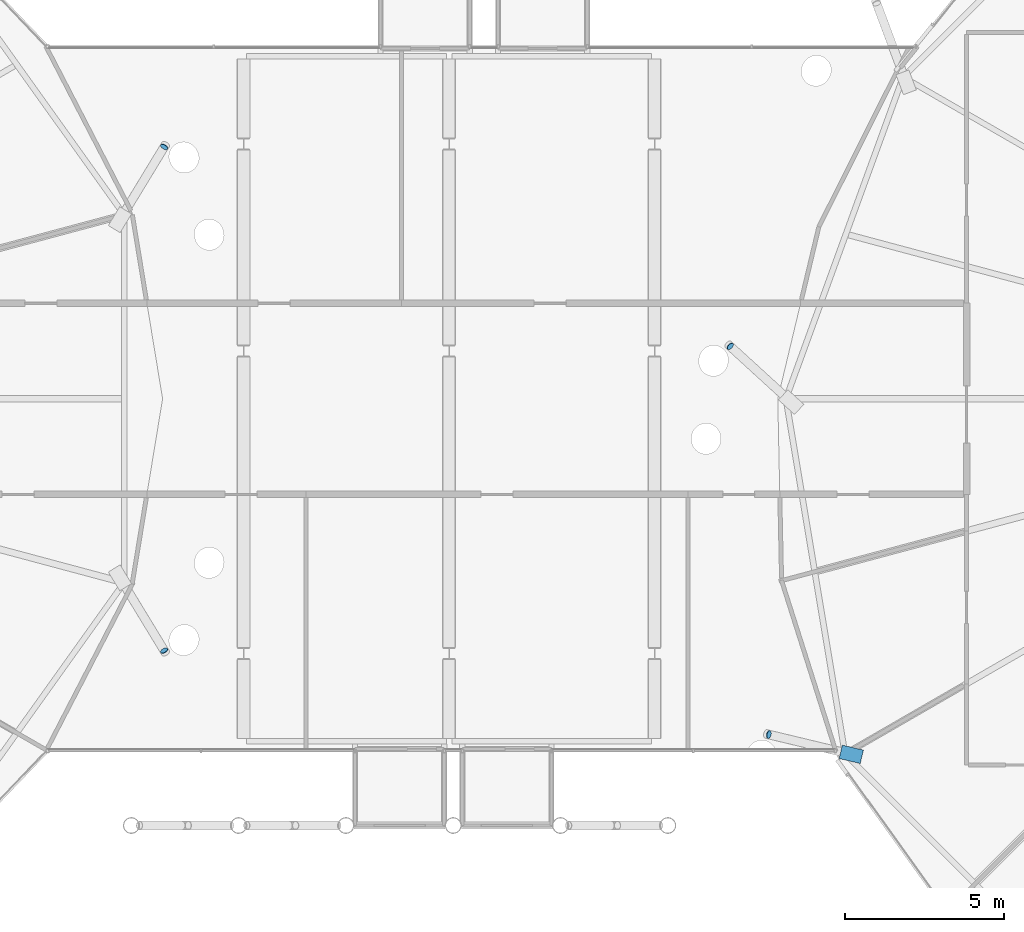
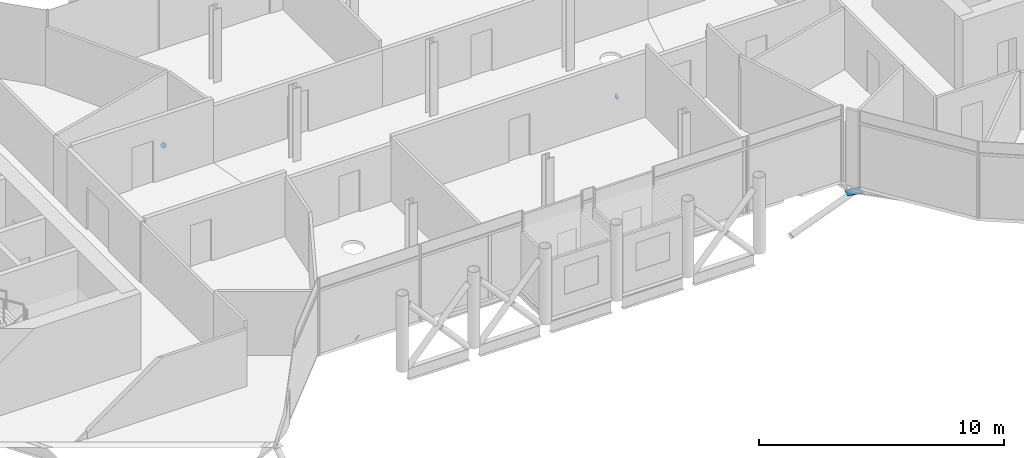
# One storey, part 32 of 39: 5 discrete accessories.
"""IFC4 building model written with IfcOpenShell, lengths in metres."""

from ifc_helpers import new_model, si_unit, direction, frame, origin, origin_2d, place, context, subcontext, project, spatial, polyline, rectangle, circle, outline, extrude, material, material_profile, profile_set, type_object, element, save


model = new_model("IFC4")

# Units and contexts
model_context = context("Model", 3, precision=1e-05, world=origin(), true_north=direction((0.0, 1.0)))
body_context = subcontext(model_context, "Body", "Model", "MODEL_VIEW")
ifc_project = project(units=[si_unit("LENGTHUNIT", "METRE"), si_unit("AREAUNIT", "SQUARE_METRE"), si_unit("VOLUMEUNIT", "CUBIC_METRE"), si_unit("PLANEANGLEUNIT", "RADIAN"), si_unit("MASSUNIT", "GRAM", prefix="KILO")], contexts=[model_context])

# Site, building, storey
site_placement = place(None, origin())
site = spatial("IfcSite", under=ifc_project, at=site_placement, CompositionType="ELEMENT")
building_placement = place(site_placement, origin())
building = spatial("IfcBuilding", under=site, at=building_placement, Name="Rimbun Link Towers", CompositionType="ELEMENT")
storey_placement = place(building_placement, frame((0.0, 0.0, 143.0)))
storey = spatial("IfcBuildingStorey", under=building, at=storey_placement, Name="L34", CompositionType="ELEMENT", Elevation=143.0)

# Discrete accessories
ifc_material_1 = material(Name="Steel S355J2H", Category="steel")
ifc_material_profile_1 = material_profile(ifc_material_1, circle(Radius=0.1240234375, at=origin_2d()), Name="PL D248")
ifc_profile_set_1 = profile_set([ifc_material_profile_1], Name="Steel S355J2H")
discrete_accessory_type_1 = type_object("IfcDiscreteAccessoryType", Name="Link foot sealing plate D248X20", PredefinedType="BRACKET", material=ifc_profile_set_1)
for number, where, z_axis, x_axis, name in (
    (1, (-8.94970703125, 7.90234375, -2.33740234375), (0.450917838826, 0.731218117014, -0.51185268191), (-0.851170869724, 0.524888702996, 0.0), "Link foot sealing plate T1 L34 01"),
    (2, (-8.94970703125, -7.90234375, -2.33740234375), (0.450917838826, -0.731218117014, -0.51185268191), (0.851170869724, 0.524888702996, 0.0), "Link foot sealing plate T1 L34 23"),
    (3, (8.830322265625, 1.6416015625, -2.33349609375), (-0.624979350913, 0.575961362606, -0.526943374299), (-0.677681015856, -0.735355995929, 0.0), "Link foot sealing plate T2 L34 09"),
    (4, (10.045654296875, -10.545166015625, -2.289306640625), (-0.828960140507, 0.195049444825, -0.524195382968), (-0.229039333726, -0.973417168334, 0.0), "Link foot sealing plate T2 L34 11"),
):
    element("IfcDiscreteAccessory", number, at=place(storey_placement, frame(where, z_axis=z_axis, x_axis=x_axis)), inside=storey, type_object=discrete_accessory_type_1, Name=name, PredefinedType="BRACKET", context=body_context, shape_type="SweptSolid", body=[
        extrude(circle(Radius=0.1240234375, at=origin_2d()), origin(), (0.0, 0.0, 1.0), 0.02001953125),
    ])
ifc_material_2 = material(Name="Steel S355J2H", Category="steel")
ifc_material_profile_2 = material_profile(ifc_material_2, rectangle(XDim=0.43310546875, YDim=0.43310546875, at=origin_2d()), Name="PL 433x433")
ifc_profile_set_2 = profile_set([ifc_material_profile_2], Name="Steel S355J2H")
discrete_accessory_type_2 = type_object("IfcDiscreteAccessoryType", Name="Link head end plate 433X20", PredefinedType="BRACKET", material=ifc_profile_set_2)
discrete_accessory_placement = place(storey_placement, frame((0.0, 0.0, -0.6533203125)))
element("IfcDiscreteAccessory", 5, at=discrete_accessory_placement, inside=storey, type_object=discrete_accessory_type_2, Name="Link head end plate T2 L34 11", PredefinedType="BRACKET", context=body_context, shape_type="SweptSolid", body=[
    extrude(outline(polyline([(13.0087890625, -11.033203125), (12.34716796875, -10.87451171875), (12.24609375, -11.295654296875), (12.90771484375, -11.454345703125), (13.0087890625, -11.033203125)])), origin(), (0.0, 0.0, 1.0), 0.02001953125),
])

save(model, "model.ifc")
